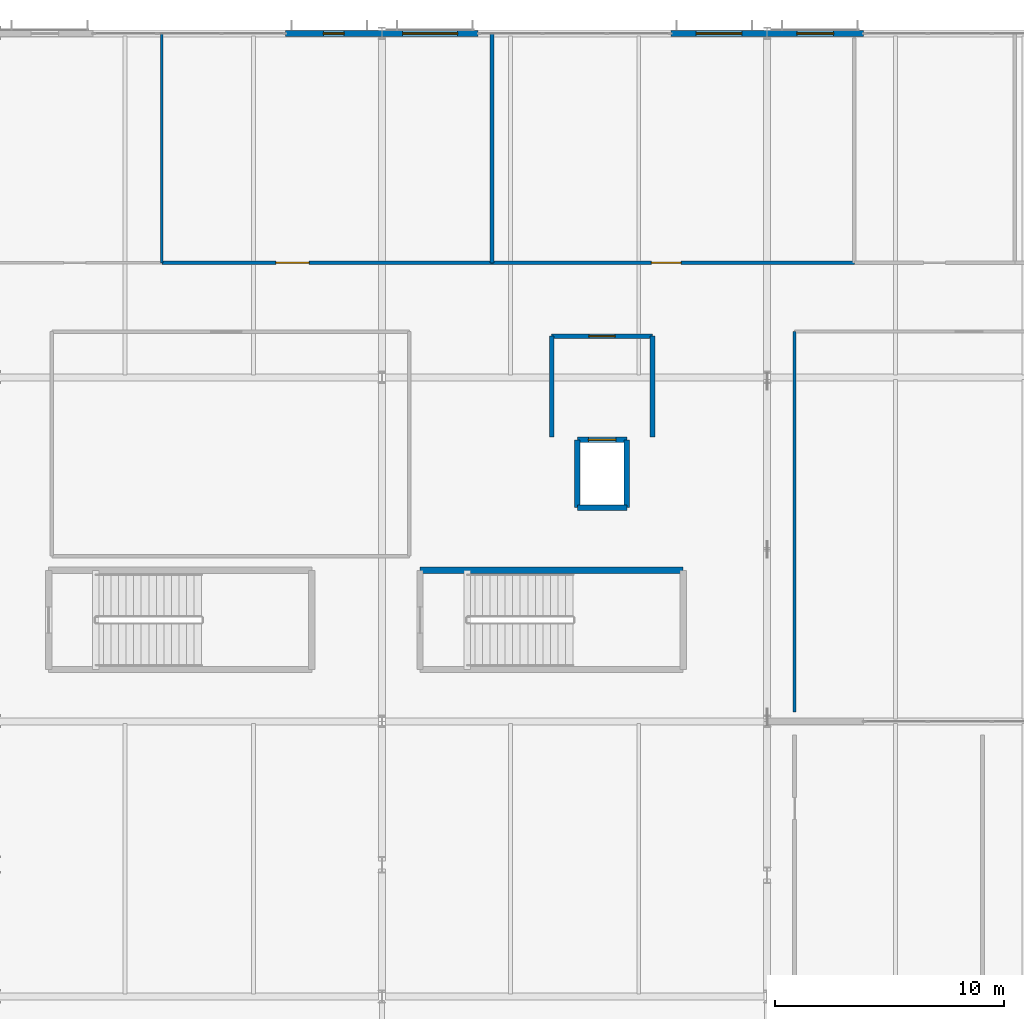
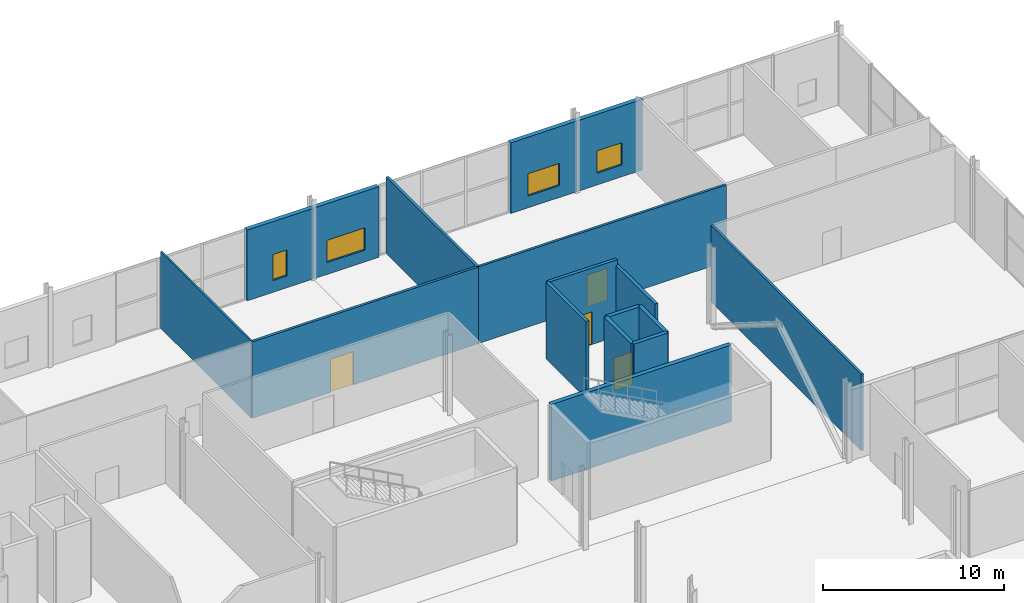
# One storey, part 64 of 84: 17 walls, 4 doors, 4 windows, 8 openings.
"""IFC4 building model written with IfcOpenShell, lengths in metres."""

from ifc_helpers import new_model, si_unit, direction, frame, frame_2d, origin, place, context, subcontext, project, spatial, rectangle, extrude, material, layer, layer_set, type_object, element, fill, save


model = new_model("IFC4")

# Units and contexts
model_context = context("Model", 3, precision=1e-05, world=origin(), true_north=direction((0.0, 1.0)))
body_context = subcontext(model_context, "Body", "Model", "MODEL_VIEW")
ifc_project = project(units=[si_unit("LENGTHUNIT", "METRE"), si_unit("AREAUNIT", "SQUARE_METRE"), si_unit("VOLUMEUNIT", "CUBIC_METRE"), si_unit("PLANEANGLEUNIT", "RADIAN"), si_unit("MASSUNIT", "GRAM", prefix="KILO")], contexts=[model_context])

# Site, building, storey
site_placement = place(None, origin())
site = spatial("IfcSite", under=ifc_project, at=site_placement, CompositionType="ELEMENT")
building_placement = place(site_placement, origin())
building = spatial("IfcBuilding", under=site, at=building_placement, Name="Kimbaza Rail Terminus", CompositionType="ELEMENT")
storey_placement = place(building_placement, frame((0.0, 0.0, 5.39990234375)))
storey = spatial("IfcBuildingStorey", under=building, at=storey_placement, Name="L01", CompositionType="ELEMENT", Elevation=5.39990234375)

# Wall, opening, window
ifc_material_1 = material(Name="Precast concrete C40/50", Category="concrete")
ifc_layer_1 = layer(ifc_material_1, 0.280029296875)
ifc_layer_set_1 = layer_set([ifc_layer_1], Name="Precast concrete C40/50")
wall_type_1 = type_object("IfcWallType", Name="ARC-WL-EXT280", PredefinedType="STANDARD", material=ifc_layer_set_1)
wall_1_placement = place(storey_placement, frame((118.199951171875, 133.0, 0.0), z_axis=(0.0, 0.0, 1.0), x_axis=(1.0, 0.0, 0.0)))
wall_1 = element("IfcWall", 1, at=wall_1_placement, inside=storey, type_object=wall_type_1, Name="Operations North Pier L01 3B", PredefinedType="STANDARD", context=body_context, shape_type="SweptSolid", body=[
    extrude(rectangle(XDim=4.199951171875, YDim=0.280029296875, at=frame_2d((2.10009765625, 0.0))), origin(), (0.0, 0.0, 1.0), 4.76513671875),
])
opening_1_placement = place(wall_1_placement, frame((1.64990234375, 0.0, 0.800048828125)))
opening_1 = element("IfcOpeningElement", 2, at=opening_1_placement, cuts=wall_1, Name="Opening W-15", PredefinedType="OPENING", context=body_context, shape_type="SweptSolid", body=[
    extrude(rectangle(XDim=0.89990234375, YDim=1.75, at=frame_2d((0.449951171875, 0.875))), frame((0.0, 0.14990234375, 0.0), z_axis=(0.0, -1.0, 0.0), x_axis=(1.0, 0.0, 0.0)), (0.0, 0.0, 1.0), 0.300048828125),
])
ifc_material_2 = material(Name="Thermally broken aluminium and solar low-E glass", Category="aluminium")
window_type_1 = type_object("IfcWindowType", Name="ARC-WIN-W-15", PartitioningType="SINGLE_PANEL", PredefinedType="WINDOW", material=ifc_material_2)
window_1_placement = place(opening_1_placement, origin())
window_1 = element("IfcWindow", 3, at=window_1_placement, inside=storey, type_object=window_type_1, Name="North Facade Window W-15", OverallHeight=1.75, OverallWidth=0.89990234375, PartitioningType="SINGLE_PANEL", PredefinedType="WINDOW", context=body_context, shape_type="SweptSolid", body=[
    extrude(rectangle(XDim=0.89990234375, YDim=1.75, at=frame_2d((0.449951171875, 0.875))), frame((0.0, 0.030029296875, 0.0), z_axis=(0.0, -1.0, 0.0), x_axis=(1.0, 0.0, 0.0)), (0.0, 0.0, 1.0), 0.06005859375),
])
fill(opening_1, window_1)

wall_2_placement = place(storey_placement, frame((122.39990234375, 133.0, 0.0), z_axis=(0.0, 0.0, 1.0), x_axis=(1.0, 0.0, 0.0)))
wall_2 = element("IfcWall", 4, at=wall_2_placement, inside=storey, type_object=wall_type_1, Name="Operations North Pier L01 4A", PredefinedType="STANDARD", context=body_context, shape_type="SweptSolid", body=[
    extrude(rectangle(XDim=4.2001953125, YDim=0.280029296875, at=frame_2d((2.10009765625, 0.0))), origin(), (0.0, 0.0, 1.0), 4.76513671875),
])
opening_2_placement = place(wall_2_placement, frame((0.89990234375, 0.0, 0.800048828125)))
opening_2 = element("IfcOpeningElement", 5, at=opening_2_placement, cuts=wall_2, Name="Opening W-16", PredefinedType="OPENING", context=body_context, shape_type="SweptSolid", body=[
    extrude(rectangle(XDim=2.39990234375, YDim=1.5, at=frame_2d((1.199951171875, 0.75))), frame((0.0, 0.14990234375, 0.0), z_axis=(0.0, -1.0, 0.0), x_axis=(1.0, 0.0, 0.0)), (0.0, 0.0, 1.0), 0.300048828125),
])
ifc_material_3 = material(Name="Thermally broken aluminium and solar low-E glass", Category="aluminium")
window_type_2 = type_object("IfcWindowType", Name="ARC-WIN-W-16", PartitioningType="SINGLE_PANEL", PredefinedType="WINDOW", material=ifc_material_3)
window_2_placement = place(opening_2_placement, origin())
window_2 = element("IfcWindow", 6, at=window_2_placement, inside=storey, type_object=window_type_2, Name="North Facade Window W-16", OverallHeight=1.5, OverallWidth=2.39990234375, PartitioningType="SINGLE_PANEL", PredefinedType="WINDOW", context=body_context, shape_type="SweptSolid", body=[
    extrude(rectangle(XDim=2.39990234375, YDim=1.5, at=frame_2d((1.199951171875, 0.75))), frame((0.0, 0.030029296875, 0.0), z_axis=(0.0, -1.0, 0.0), x_axis=(1.0, 0.0, 0.0)), (0.0, 0.0, 1.0), 0.06005859375),
])
fill(opening_2, window_2)

wall_3_placement = place(storey_placement, frame((135.0, 133.0, 0.0), z_axis=(0.0, 0.0, 1.0), x_axis=(1.0, 0.0, 0.0)))
wall_3 = element("IfcWall", 7, at=wall_3_placement, inside=storey, type_object=wall_type_1, Name="Operations North Pier L01 4B", PredefinedType="STANDARD", context=body_context, shape_type="SweptSolid", body=[
    extrude(rectangle(XDim=4.199951171875, YDim=0.280029296875, at=frame_2d((2.10009765625, 0.0))), origin(), (0.0, 0.0, 1.0), 4.76513671875),
])
opening_3_placement = place(wall_3_placement, frame((1.10009765625, 0.0, 0.800048828125)))
opening_3 = element("IfcOpeningElement", 8, at=opening_3_placement, cuts=wall_3, Name="Opening W-17", PredefinedType="OPENING", context=body_context, shape_type="SweptSolid", body=[
    extrude(rectangle(XDim=2.0, YDim=1.5, at=frame_2d((1.0, 0.75))), frame((0.0, 0.14990234375, 0.0), z_axis=(0.0, -1.0, 0.0), x_axis=(1.0, 0.0, 0.0)), (0.0, 0.0, 1.0), 0.300048828125),
])
ifc_material_4 = material(Name="Thermally broken aluminium and solar low-E glass", Category="aluminium")
window_type_3 = type_object("IfcWindowType", Name="ARC-WIN-W-17", PartitioningType="SINGLE_PANEL", PredefinedType="WINDOW", material=ifc_material_4)
window_3_placement = place(opening_3_placement, origin())
window_3 = element("IfcWindow", 9, at=window_3_placement, inside=storey, type_object=window_type_3, Name="North Facade Window W-17", OverallHeight=1.5, OverallWidth=2.0, PartitioningType="SINGLE_PANEL", PredefinedType="WINDOW", context=body_context, shape_type="SweptSolid", body=[
    extrude(rectangle(XDim=2.0, YDim=1.5, at=frame_2d((1.0, 0.75))), frame((0.0, 0.030029296875, 0.0), z_axis=(0.0, -1.0, 0.0), x_axis=(1.0, 0.0, 0.0)), (0.0, 0.0, 1.0), 0.06005859375),
])
fill(opening_3, window_3)

wall_4_placement = place(storey_placement, frame((139.199951171875, 133.0, 0.0), z_axis=(0.0, 0.0, 1.0), x_axis=(1.0, 0.0, 0.0)))
wall_4 = element("IfcWall", 10, at=wall_4_placement, inside=storey, type_object=wall_type_1, Name="Operations North Pier L01 5A", PredefinedType="STANDARD", context=body_context, shape_type="SweptSolid", body=[
    extrude(rectangle(XDim=4.199951171875, YDim=0.280029296875, at=frame_2d((2.10009765625, 0.0))), origin(), (0.0, 0.0, 1.0), 4.76513671875),
])
opening_4_placement = place(wall_4_placement, frame((1.300048828125, 0.0, 0.800048828125)))
opening_4 = element("IfcOpeningElement", 11, at=opening_4_placement, cuts=wall_4, Name="Opening W-18", PredefinedType="OPENING", context=body_context, shape_type="SweptSolid", body=[
    extrude(rectangle(XDim=1.60009765625, YDim=1.5, at=frame_2d((0.800048828125, 0.75))), frame((0.0, 0.14990234375, 0.0), z_axis=(0.0, -1.0, 0.0), x_axis=(1.0, 0.0, 0.0)), (0.0, 0.0, 1.0), 0.300048828125),
])
ifc_material_5 = material(Name="Thermally broken aluminium and solar low-E glass", Category="aluminium")
window_type_4 = type_object("IfcWindowType", Name="ARC-WIN-W-18", PartitioningType="SINGLE_PANEL", PredefinedType="WINDOW", material=ifc_material_5)
window_4_placement = place(opening_4_placement, origin())
window_4 = element("IfcWindow", 12, at=window_4_placement, inside=storey, type_object=window_type_4, Name="North Facade Window W-18", OverallHeight=1.5, OverallWidth=1.60009765625, PartitioningType="SINGLE_PANEL", PredefinedType="WINDOW", context=body_context, shape_type="SweptSolid", body=[
    extrude(rectangle(XDim=1.60009765625, YDim=1.5, at=frame_2d((0.800048828125, 0.75))), frame((0.0, 0.030029296875, 0.0), z_axis=(0.0, -1.0, 0.0), x_axis=(1.0, 0.0, 0.0)), (0.0, 0.0, 1.0), 0.06005859375),
])
fill(opening_4, window_4)

# Wall
ifc_material_6 = material(Name="Concrete blockwork C30/37", Category="masonry")
ifc_layer_2 = layer(ifc_material_6, 0.199951171875)
ifc_layer_set_2 = layer_set([ifc_layer_2], Name="Concrete blockwork C30/37")
wall_type_2 = type_object("IfcWallType", Name="ARC-WL-FIRE200", PredefinedType="PARTITIONING", material=ifc_layer_set_2)
wall_5_placement = place(storey_placement, frame((134.199951171875, 115.39990234375, 0.0), z_axis=(0.0, 0.0, 1.0), x_axis=(0.0, 1.0, 0.0)))
element("IfcWall", 13, at=wall_5_placement, inside=storey, type_object=wall_type_2, Name="Firefighting Lobby LF-02 Partition (east)", PredefinedType="PARTITIONING", context=body_context, shape_type="SweptSolid", body=[
    extrude(rectangle(XDim=4.400146484375, YDim=0.199951171875, at=frame_2d((2.2001953125, 0.0))), origin(), (0.0, 0.0, 1.0), 4.795166015625),
])

# Wall, opening, door
wall_6_placement = place(storey_placement, frame((134.199951171875, 119.800048828125, 0.0), z_axis=(0.0, 0.0, 1.0), x_axis=(-1.0, 0.0, 0.0)))
wall_6 = element("IfcWall", 14, at=wall_6_placement, inside=storey, type_object=wall_type_2, Name="Firefighting Lobby LF-02 Partition (north)", PredefinedType="PARTITIONING", context=body_context, shape_type="SweptSolid", body=[
    extrude(rectangle(XDim=4.39990234375, YDim=0.199951171875, at=frame_2d((2.199951171875, 0.0))), origin(), (0.0, 0.0, 1.0), 5.16015625),
])
opening_5_placement = place(wall_6_placement, frame((1.625, 0.0, 0.0)))
opening_5 = element("IfcOpeningElement", 15, at=opening_5_placement, cuts=wall_6, Name="Opening FD-03", PredefinedType="OPENING", context=body_context, shape_type="SweptSolid", body=[
    extrude(rectangle(XDim=1.14990234375, YDim=2.199951171875, at=frame_2d((0.574951171875, 1.10009765625))), frame((0.0, 0.10986328125, 0.0), z_axis=(0.0, -1.0, 0.0), x_axis=(1.0, 0.0, 0.0)), (0.0, 0.0, 1.0), 0.219970703125),
])
ifc_material_7 = material(Name="Firefighting lobby self-closing steel door", Category="steel")
door_type_1 = type_object("IfcDoorType", Name="ARC-DR-FD115", OperationType="NOTDEFINED", PredefinedType="DOOR", material=ifc_material_7)
door_1_placement = place(opening_5_placement, origin())
door_1 = element("IfcDoor", 16, at=door_1_placement, inside=storey, type_object=door_type_1, Name="IDR-SPC-FFL-LF-02-L01", OperationType="SINGLE_SWING_RIGHT", OverallHeight=2.199951171875, OverallWidth=1.14990234375, PredefinedType="DOOR", context=body_context, shape_type="SweptSolid", body=[
    extrude(rectangle(XDim=1.14990234375, YDim=2.199951171875, at=frame_2d((0.574951171875, 1.10009765625))), frame((0.0, 0.02490234375, 0.0), z_axis=(0.0, -1.0, 0.0), x_axis=(1.0, 0.0, 0.0)), (0.0, 0.0, 1.0), 0.050048828125),
])
fill(opening_5, door_1)

# Walls
wall_7_placement = place(storey_placement, frame((129.800048828125, 119.800048828125, 0.0), z_axis=(0.0, 0.0, 1.0), x_axis=(0.0, -1.0, 0.0)))
element("IfcWall", 17, at=wall_7_placement, inside=storey, type_object=wall_type_2, Name="Firefighting Lobby LF-02 Partition (west)", PredefinedType="PARTITIONING", context=body_context, shape_type="SweptSolid", body=[
    extrude(rectangle(XDim=4.400146484375, YDim=0.199951171875, at=frame_2d((2.2001953125, 0.0))), origin(), (0.0, 0.0, 1.0), 5.16015625),
])
ifc_material_8 = material(Name="Demountable acoustic glass wall", Category="glass")
ifc_layer_3 = layer(ifc_material_8, 0.110107421875)
ifc_layer_set_3 = layer_set([ifc_layer_3], Name="Demountable acoustic glass wall")
wall_type_3 = type_object("IfcWallType", Name="ARC-WL-MOV110", PredefinedType="MOVABLE", material=ifc_layer_set_3)
wall_8_placement = place(storey_placement, frame((112.800048828125, 123.0, 0.0), z_axis=(0.0, 0.0, 1.0), x_axis=(0.0, 1.0, 0.0)))
element("IfcWall", 18, at=wall_8_placement, inside=storey, type_object=wall_type_3, Name="Crew Quiet Rest Suite East Partition (east)", PredefinedType="MOVABLE", context=body_context, shape_type="SweptSolid", body=[
    extrude(rectangle(XDim=9.97998046875, YDim=0.110107421875, at=frame_2d((4.989990234375, 0.0))), origin(), (0.0, 0.0, 1.0), 5.16015625),
])
ifc_material_9 = material(Name="Acoustic gypsum stud partition", Category="gypsum")
ifc_layer_4 = layer(ifc_material_9, 0.139892578125)
ifc_layer_set_4 = layer_set([ifc_layer_4], Name="Acoustic gypsum stud partition")
wall_type_4 = type_object("IfcWallType", Name="ARC-WL-PART140", PredefinedType="PARTITIONING", material=ifc_layer_set_4)
wall_9_placement = place(storey_placement, frame((140.39990234375, 120.0, 0.0), z_axis=(0.0, 0.0, 1.0), x_axis=(0.0, -1.0, 0.0)))
element("IfcWall", 19, at=wall_9_placement, inside=storey, type_object=wall_type_4, Name="L01 East Telecoms Technical Office Partition (west)", PredefinedType="PARTITIONING", context=body_context, shape_type="SweptSolid", body=[
    extrude(rectangle(XDim=16.60009765625, YDim=0.139892578125, at=frame_2d((8.300048828125, 0.0))), origin(), (0.0, 0.0, 1.0), 5.16015625),
])

# Wall, opening, door
ifc_material_10 = material(Name="Acoustic gypsum stud partition", Category="gypsum")
ifc_layer_5 = layer(ifc_material_10, 0.14990234375)
ifc_layer_set_5 = layer_set([ifc_layer_5], Name="Acoustic gypsum stud partition")
wall_type_5 = type_object("IfcWallType", Name="ARC-WL-PART150", PredefinedType="PARTITIONING", material=ifc_layer_set_5)
wall_10_placement = place(storey_placement, frame((127.199951171875, 123.0, 0.0), z_axis=(0.0, 0.0, 1.0), x_axis=(1.0, 0.0, 0.0)))
wall_10 = element("IfcWall", 20, at=wall_10_placement, inside=storey, type_object=wall_type_5, Name="Crew Mess Pantry and Dining Lounge Partition (south)", PredefinedType="PARTITIONING", context=body_context, shape_type="SweptSolid", body=[
    extrude(rectangle(XDim=15.800048828125, YDim=0.14990234375, at=frame_2d((7.89990234375, 0.0))), origin(), (0.0, 0.0, 1.0), 5.16015625),
])
opening_6_placement = place(wall_10_placement, frame((6.949951171875, 0.0, 0.0)))
opening_6 = element("IfcOpeningElement", 21, at=opening_6_placement, cuts=wall_10, Name="Opening ID-08", PredefinedType="OPENING", context=body_context, shape_type="SweptSolid", body=[
    extrude(rectangle(XDim=1.300048828125, YDim=2.14990234375, at=frame_2d((0.64990234375, 1.074951171875))), frame((0.0, 0.0849609375, 0.0), z_axis=(0.0, -1.0, 0.0), x_axis=(1.0, 0.0, 0.0)), (0.0, 0.0, 1.0), 0.169921875),
])
ifc_material_11 = material(Name="Training classroom acoustic door", Category="wood")
door_type_2 = type_object("IfcDoorType", Name="ARC-DR-ID130", OperationType="NOTDEFINED", PredefinedType="DOOR", material=ifc_material_11)
door_2_placement = place(opening_6_placement, origin())
door_2 = element("IfcDoor", 22, at=door_2_placement, inside=storey, type_object=door_type_2, Name="IDR-SPC-V5N-L01-06", OperationType="SINGLE_SWING_LEFT", OverallHeight=2.14990234375, OverallWidth=1.300048828125, PredefinedType="DOOR", context=body_context, shape_type="SweptSolid", body=[
    extrude(rectangle(XDim=1.300048828125, YDim=2.14990234375, at=frame_2d((0.64990234375, 1.074951171875))), frame((0.0, 0.02490234375, 0.0), z_axis=(0.0, -1.0, 0.0), x_axis=(1.0, 0.0, 0.0)), (0.0, 0.0, 1.0), 0.050048828125),
])
fill(opening_6, door_2)

ifc_material_12 = material(Name="Acoustic gypsum stud partition", Category="gypsum")
ifc_layer_6 = layer(ifc_material_12, 0.159912109375)
ifc_layer_set_6 = layer_set([ifc_layer_6], Name="Acoustic gypsum stud partition")
wall_type_6 = type_object("IfcWallType", Name="ARC-WL-PART160", PredefinedType="PARTITIONING", material=ifc_layer_set_6)
wall_11_placement = place(storey_placement, frame((112.800048828125, 123.0, 0.0), z_axis=(0.0, 0.0, 1.0), x_axis=(1.0, 0.0, 0.0)))
wall_11 = element("IfcWall", 23, at=wall_11_placement, inside=storey, type_object=wall_type_6, Name="Uniform and Safety Radio Issue Office Partition (south)", PredefinedType="PARTITIONING", context=body_context, shape_type="SweptSolid", body=[
    extrude(rectangle(XDim=14.39990234375, YDim=0.159912109375, at=frame_2d((7.199951171875, 0.0))), origin(), (0.0, 0.0, 1.0), 5.16015625),
])
opening_7_placement = place(wall_11_placement, frame((6.425048828125, 0.0, 0.0), z_axis=(0.0, 0.0, 1.0), x_axis=(-1.0, 0.0, 0.0)))
opening_7 = element("IfcOpeningElement", 24, at=opening_7_placement, cuts=wall_11, Name="Opening ID-07", PredefinedType="OPENING", context=body_context, shape_type="SweptSolid", body=[
    extrude(rectangle(XDim=1.449951171875, YDim=2.25, at=frame_2d((0.72509765625, 1.125))), frame((0.0, 0.08984375, 0.0), z_axis=(0.0, -1.0, 0.0), x_axis=(1.0, 0.0, 0.0)), (0.0, 0.0, 1.0), 0.179931640625),
])
ifc_material_13 = material(Name="Retail shopfront glazed entrance door", Category="aluminium")
door_type_3 = type_object("IfcDoorType", Name="ARC-DR-ID145", OperationType="NOTDEFINED", PredefinedType="DOOR", material=ifc_material_13)
door_3_placement = place(opening_7_placement, origin())
door_3 = element("IfcDoor", 25, at=door_3_placement, inside=storey, type_object=door_type_3, Name="IDR-SPC-V5N-L01-05", OperationType="SINGLE_SWING_RIGHT", OverallHeight=2.25, OverallWidth=1.449951171875, PredefinedType="DOOR", context=body_context, shape_type="SweptSolid", body=[
    extrude(rectangle(XDim=1.449951171875, YDim=2.25, at=frame_2d((0.72509765625, 1.125))), frame((0.0, 0.02490234375, 0.0), z_axis=(0.0, -1.0, 0.0), x_axis=(1.0, 0.0, 0.0)), (0.0, 0.0, 1.0), 0.050048828125),
])
fill(opening_7, door_3)

# Walls
wall_12_placement = place(storey_placement, frame((127.199951171875, 123.0, 0.0), z_axis=(0.0, 0.0, 1.0), x_axis=(0.0, 1.0, 0.0)))
element("IfcWall", 26, at=wall_12_placement, inside=storey, type_object=wall_type_6, Name="Uniform and Safety Radio Issue Office Partition (east)", PredefinedType="PARTITIONING", context=body_context, shape_type="SweptSolid", body=[
    extrude(rectangle(XDim=9.97998046875, YDim=0.159912109375, at=frame_2d((4.989990234375, 0.0))), origin(), (0.0, 0.0, 1.0), 5.16015625),
])
ifc_material_14 = material(Name="Concrete C40/50", Category="concrete")
ifc_layer_7 = layer(ifc_material_14, 0.25)
ifc_layer_set_7 = layer_set([ifc_layer_7], Name="Concrete C40/50")
wall_type_7 = type_object("IfcWallType", Name="STR-WL-CORE250", PredefinedType="SHEAR", material=ifc_layer_set_7)
wall_13_placement = place(storey_placement, frame((130.919921875, 112.320068359375, 0.0), z_axis=(0.0, 0.0, 1.0), x_axis=(1.0, 0.0, 0.0)))
element("IfcWall", 27, at=wall_13_placement, inside=storey, type_object=wall_type_7, Name="Lift Shaft Wall LF-02 L01-1", PredefinedType="SHEAR", context=body_context, shape_type="SweptSolid", body=[
    extrude(rectangle(XDim=2.16015625, YDim=0.25, at=frame_2d((1.080078125, 0.0))), origin(), (0.0, 0.0, 1.0), 5.16015625),
])
wall_14_placement = place(storey_placement, frame((133.080078125, 112.320068359375, 0.0), z_axis=(0.0, 0.0, 1.0), x_axis=(0.0, 1.0, 0.0)))
element("IfcWall", 28, at=wall_14_placement, inside=storey, type_object=wall_type_7, Name="Lift Shaft Wall LF-02 L01-2", PredefinedType="SHEAR", context=body_context, shape_type="SweptSolid", body=[
    extrude(rectangle(XDim=2.9599609375, YDim=0.25, at=frame_2d((1.47998046875, 0.0))), origin(), (0.0, 0.0, 1.0), 5.16015625),
])

# Wall, opening, door
wall_15_placement = place(storey_placement, frame((133.080078125, 115.280029296875, 0.0), z_axis=(0.0, 0.0, 1.0), x_axis=(-1.0, 0.0, 0.0)))
wall_15 = element("IfcWall", 29, at=wall_15_placement, inside=storey, type_object=wall_type_7, Name="Lift Shaft Wall LF-02 L01-3", PredefinedType="SHEAR", context=body_context, shape_type="SweptSolid", body=[
    extrude(rectangle(XDim=2.16015625, YDim=0.25, at=frame_2d((1.080078125, 0.0))), origin(), (0.0, 0.0, 1.0), 5.16015625),
])
opening_8_placement = place(wall_15_placement, frame((0.47998046875, 0.0, 0.0)))
opening_8 = element("IfcOpeningElement", 30, at=opening_8_placement, cuts=wall_15, Name="Opening LD-02", PredefinedType="OPENING", context=body_context, shape_type="SweptSolid", body=[
    extrude(rectangle(XDim=1.199951171875, YDim=2.199951171875, at=frame_2d((0.60009765625, 1.10009765625))), frame((0.0, 0.135009765625, 0.0), z_axis=(0.0, -1.0, 0.0), x_axis=(1.0, 0.0, 0.0)), (0.0, 0.0, 1.0), 0.27001953125),
])
ifc_material_15 = material(Name="Firefighting stainless steel landing door", Category="steel")
door_type_4 = type_object("IfcDoorType", Name="ARC-DR-LD120", OperationType="NOTDEFINED", PredefinedType="DOOR", material=ifc_material_15)
door_4_placement = place(opening_8_placement, origin())
door_4 = element("IfcDoor", 31, at=door_4_placement, inside=storey, type_object=door_type_4, Name="LDR-LF-02-L01", OperationType="SLIDING_TO_LEFT", OverallHeight=2.199951171875, OverallWidth=1.199951171875, PredefinedType="DOOR", context=body_context, shape_type="SweptSolid", body=[
    extrude(rectangle(XDim=1.199951171875, YDim=2.199951171875, at=frame_2d((0.60009765625, 1.10009765625))), frame((0.0, 0.02490234375, 0.0), z_axis=(0.0, -1.0, 0.0), x_axis=(1.0, 0.0, 0.0)), (0.0, 0.0, 1.0), 0.050048828125),
])
fill(opening_8, door_4)

# Walls
wall_16_placement = place(storey_placement, frame((130.919921875, 115.280029296875, 0.0), z_axis=(0.0, 0.0, 1.0), x_axis=(0.0, -1.0, 0.0)))
element("IfcWall", 32, at=wall_16_placement, inside=storey, type_object=wall_type_7, Name="Lift Shaft Wall LF-02 L01-4", PredefinedType="SHEAR", context=body_context, shape_type="SweptSolid", body=[
    extrude(rectangle(XDim=2.9599609375, YDim=0.25, at=frame_2d((1.47998046875, 0.0))), origin(), (0.0, 0.0, 1.0), 5.16015625),
])
ifc_material_16 = material(Name="Concrete C40/50", Category="concrete")
ifc_layer_8 = layer(ifc_material_16, 0.280029296875)
ifc_layer_set_8 = layer_set([ifc_layer_8], Name="Concrete C40/50")
wall_type_8 = type_object("IfcWallType", Name="STR-WL-CORE280", PredefinedType="SHEAR", material=ifc_layer_set_8)
wall_17_placement = place(storey_placement, frame((135.5400390625, 109.580078125, 0.0), z_axis=(0.0, 0.0, 1.0), x_axis=(-1.0, 0.0, 0.0)))
element("IfcWall", 33, at=wall_17_placement, inside=storey, type_object=wall_type_8, Name="Operations East Exit Stair Shaft Wall L01-3", PredefinedType="SHEAR", context=body_context, shape_type="SweptSolid", body=[
    extrude(rectangle(XDim=11.47998046875, YDim=0.280029296875, at=frame_2d((5.739990234375, 0.0))), origin(), (0.0, 0.0, 1.0), 5.16015625),
])

save(model, "model.ifc")
